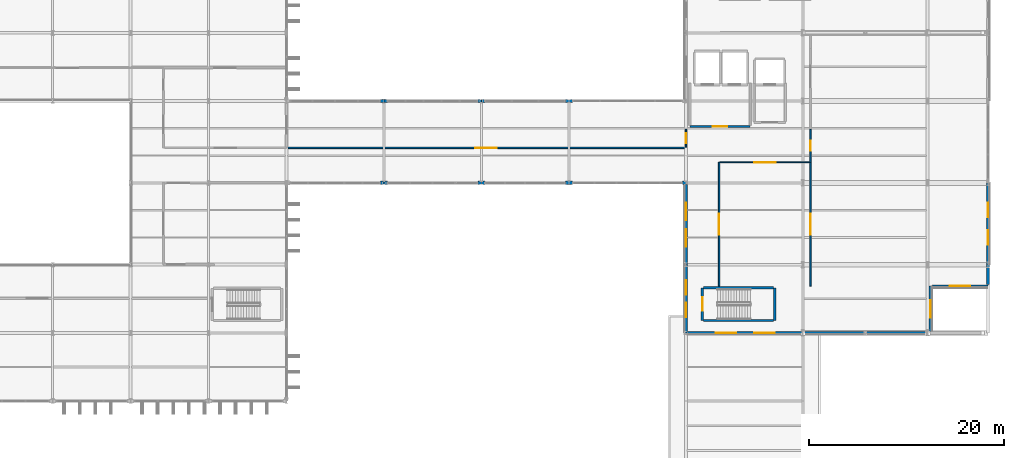
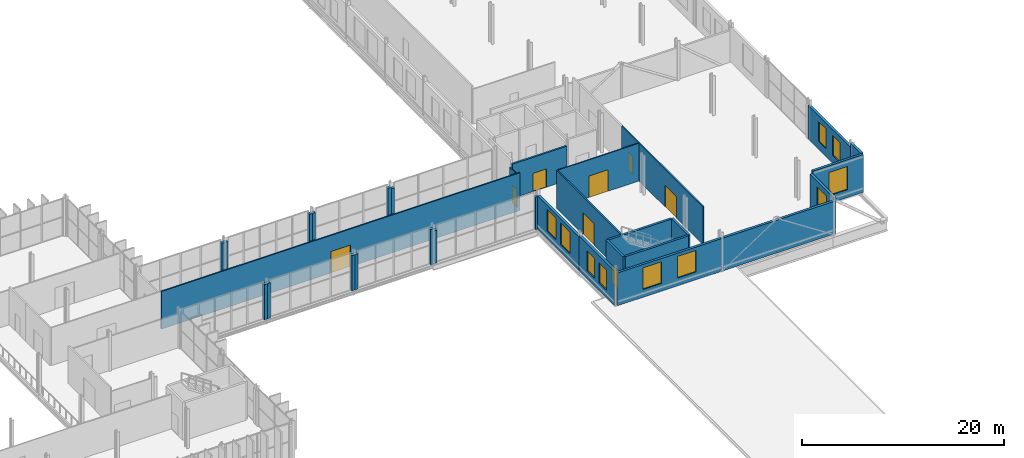
# One storey, part 100 of 120: 32 walls, 10 windows, 8 doors, 18 openings.
"""IFC4 building model written with IfcOpenShell, lengths in metres."""

import ifcopenshell
import ifcopenshell.guid

model = None  # the IFC model being written
_history = None  # IfcOwnerHistory: only IFC2X3 demands one
_inside = {}  # id of a spatial element -> (the spatial element, [elements in it])
_under = {}  # id of a project, library or spatial element -> (it, [spatial elements below it])
_declared = {}  # id of a project -> (the project, [libraries it declares])
_typed = {}  # id of a type object -> (the type object, [elements of that type])
_made_of = {}  # id of a material, layer set ... -> (it, [elements and type objects made of it])


def new_model(schema):
    """Start an empty IFC model of exactly this schema.

    Asked for "IFC4X3", IfcOpenShell would pick the latest addendum, in which some entities
    have other attributes; the version numbers below select the first issue.
    IFC2X3 requires an IfcOwnerHistory on every rooted entity: one is made here for all.
    """
    global model, _history
    if schema == "IFC4X3":
        model = ifcopenshell.file(schema_version=(4, 3, 0, 0))
    else:
        model = ifcopenshell.file(schema=schema)
    _inside.clear()
    _under.clear()
    _declared.clear()
    _typed.clear()
    _made_of.clear()
    _history = None
    if model.schema == "IFC2X3":
        org = make("IfcOrganization", Name="unknown")
        user = make(
            "IfcPersonAndOrganization",
            ThePerson=make("IfcPerson", FamilyName="unknown"),
            TheOrganization=org,
        )
        app = make(
            "IfcApplication",
            ApplicationDeveloper=org,
            Version="unknown",
            ApplicationFullName="unknown",
            ApplicationIdentifier="unknown",
        )
        _history = make(
            "IfcOwnerHistory",
            OwningUser=user,
            OwningApplication=app,
            ChangeAction="ADDED",
            CreationDate=0,
        )
    return model


def make(cls, **values):
    """One entity of the class cls with the attributes given. An attribute that is None is left unset."""
    return model.create_entity(
        cls, **{name: value for name, value in values.items() if value is not None}
    )


def rooted(cls, **values):
    """An entity with a GlobalId (a new one), such as an element, a storey or a relation."""
    return make(cls, GlobalId=ifcopenshell.guid.new(), OwnerHistory=_history, **values)


def si_unit(unit_type, name, prefix=None):
    """IfcSIUnit, for example si_unit("LENGTHUNIT", "METRE", prefix="MILLI")."""
    return make("IfcSIUnit", UnitType=unit_type, Prefix=prefix, Name=name)


def assignment(units):
    """IfcUnitAssignment: the units of a project."""
    return None if units is None else make("IfcUnitAssignment", Units=units)


def point(xyz):
    """IfcCartesianPoint."""
    return None if xyz is None else make("IfcCartesianPoint", Coordinates=xyz)


def direction(xyz):
    """IfcDirection."""
    return None if xyz is None else make("IfcDirection", DirectionRatios=xyz)


def frame(location, z_axis=None, x_axis=None):
    """IfcAxis2Placement3D, a coordinate frame: its origin and axes. An axis left out is left unset."""
    return make(
        "IfcAxis2Placement3D",
        Location=point(location),
        Axis=direction(z_axis),
        RefDirection=direction(x_axis),
    )


def frame_2d(location, x_axis=None):
    """IfcAxis2Placement2D, a coordinate frame in the plane: its origin and x axis."""
    return make(
        "IfcAxis2Placement2D", Location=point(location), RefDirection=direction(x_axis)
    )


def origin():
    """The frame at (0, 0, 0) with its axes left unset."""
    return frame((0.0, 0.0, 0.0))


def place(relative_to, where):
    """IfcLocalPlacement: puts the frame where relative to a parent placement (None: the world)."""
    return make(
        "IfcLocalPlacement", PlacementRelTo=relative_to, RelativePlacement=where
    )


def context(
    kind, dimensions, precision=None, world=None, true_north=None, identifier=None
):
    """IfcGeometricRepresentationContext, for example the 3D "Model" context."""
    return make(
        "IfcGeometricRepresentationContext",
        ContextIdentifier=identifier,
        ContextType=kind,
        CoordinateSpaceDimension=dimensions,
        Precision=precision,
        WorldCoordinateSystem=world,
        TrueNorth=true_north,
    )


def subcontext(parent, identifier, kind, view, scale=None):
    """IfcGeometricRepresentationSubContext, for example "Body" below "Model"."""
    return make(
        "IfcGeometricRepresentationSubContext",
        ContextIdentifier=identifier,
        ContextType=kind,
        ParentContext=parent,
        TargetScale=scale,
        TargetView=view,
    )


def project(units=None, contexts=None):
    """IfcProject with its units and contexts."""
    return rooted(
        "IfcProject",
        Name="project",
        RepresentationContexts=contexts,
        UnitsInContext=assignment(units),
    )


def spatial(cls, under=None, at=None, **own):
    """A site, building, storey or space (cls), placed at a placement, below another one or the project."""
    s = rooted(cls, ObjectPlacement=at, **own)
    if under is not None:
        _under.setdefault(under.id(), (under, []))[1].append(s)
    return s


def profile(cls, at=None, kind="AREA", **sizes):
    """A parametric profile (cls). Its sizes go by their IFC names, for example OverallWidth=200.0."""
    return make(cls, ProfileType=kind, Position=at, **sizes)


def rectangle(**sizes):
    """IfcRectangleProfileDef."""
    return profile("IfcRectangleProfileDef", **sizes)


def extrude(swept, where, along, depth):
    """IfcExtrudedAreaSolid: the profile swept, set in the frame where, extruded along a direction by depth."""
    return make(
        "IfcExtrudedAreaSolid",
        SweptArea=swept,
        Position=where,
        ExtrudedDirection=direction(along),
        Depth=depth,
    )


def shape(context_of_items, identifier, shape_type, items):
    """IfcShapeRepresentation: the items that make up one representation, for example the "Body"."""
    return make(
        "IfcShapeRepresentation",
        ContextOfItems=context_of_items,
        RepresentationIdentifier=identifier,
        RepresentationType=shape_type,
        Items=items,
    )


def material(Name=None, Category=None):
    """IfcMaterial."""
    return make("IfcMaterial", Name=Name, Category=Category)


def layer(
    of_material, thickness, ventilated=None, Name=None, Category=None, Priority=None
):
    """IfcMaterialLayer: one layer of a wall or slab, of a material (None: an air gap)."""
    return make(
        "IfcMaterialLayer",
        Material=of_material,
        LayerThickness=thickness,
        IsVentilated=ventilated,
        Name=Name,
        Category=Category,
        Priority=Priority,
    )


def layer_set(layers, Name=None):
    """IfcMaterialLayerSet."""
    return make("IfcMaterialLayerSet", MaterialLayers=layers, LayerSetName=Name)


def made_of(thing, what):
    """Note that an element or type object is made of a material, layer set ...; save() writes the relation."""
    if what is not None:
        _made_of.setdefault(what.id(), (what, []))[1].append(thing)
    return thing


def type_object(cls, material=None, **own):
    """A type object (cls), such as IfcWallType, which elements share."""
    return made_of(rooted(cls, **own), material)


def element(
    cls,
    number,
    at=None,
    inside=None,
    cuts=None,
    type_object=None,
    material=None,
    context=None,
    identifier="Body",
    shape_type=None,
    held_by="IfcProductDefinitionShape",
    body=None,
    shapes=None,
    **own,
):
    """One element of the class cls, such as IfcWall. Its Tag is "e" and its number.

    at: its placement. inside: the storey or other place that contains it. cuts: it is an
    opening in that element (IfcRelVoidsElement). A single representation is given by context,
    identifier, shape_type and body (its items); several are given by shapes. held_by: the class
    of the entity that holds the representations. save() writes the other relations.
    """
    e = rooted(cls, Tag="e%d" % number, ObjectPlacement=at, **own)
    if body is not None:
        shapes = [shape(context, identifier, shape_type, body)]
    if shapes is not None:
        e.Representation = make(held_by, Representations=shapes)
    if inside is not None:
        _inside.setdefault(inside.id(), (inside, []))[1].append(e)
    if cuts is not None:
        rooted(
            "IfcRelVoidsElement", RelatingBuildingElement=cuts, RelatedOpeningElement=e
        )
    if type_object is not None:
        _typed.setdefault(type_object.id(), (type_object, []))[1].append(e)
    return made_of(e, material)


def fill(opening, filler):
    """IfcRelFillsElement: the door or window that sits in an opening."""
    return rooted(
        "IfcRelFillsElement",
        RelatingOpeningElement=opening,
        RelatedBuildingElement=filler,
    )


def aggregate(whole, parts):
    """IfcRelAggregates: a whole, such as a stair, and the parts it consists of."""
    return rooted("IfcRelAggregates", RelatingObject=whole, RelatedObjects=parts)


def save(model, path):
    """Write the relations noted so far, then the file.

    IfcRelAggregates (storeys below a building ...), IfcRelContainedInSpatialStructure (elements
    in a storey), IfcRelDefinesByType, IfcRelAssociatesMaterial and IfcRelDeclares: one each for
    every whole, place, type object, material and project.
    """
    for whole, parts in _under.values():
        aggregate(whole, parts)
    for where, things in _inside.values():
        rooted(
            "IfcRelContainedInSpatialStructure",
            RelatedElements=things,
            RelatingStructure=where,
        )
    for kind, things in _typed.values():
        rooted("IfcRelDefinesByType", RelatedObjects=things, RelatingType=kind)
    for what, things in _made_of.values():
        rooted("IfcRelAssociatesMaterial", RelatedObjects=things, RelatingMaterial=what)
    for by, libraries in _declared.values():
        rooted("IfcRelDeclares", RelatingContext=by, RelatedDefinitions=libraries)
    model.write(path)


model = new_model("IFC4")

# Units and contexts
model_context = context("Model", 3, precision=1e-05, world=origin(), true_north=direction((0.0, 1.0)))
body_context = subcontext(model_context, "Body", "Model", "MODEL_VIEW")
ifc_project = project(units=[si_unit("LENGTHUNIT", "METRE"), si_unit("AREAUNIT", "SQUARE_METRE"), si_unit("VOLUMEUNIT", "CUBIC_METRE"), si_unit("PLANEANGLEUNIT", "RADIAN"), si_unit("MASSUNIT", "GRAM", prefix="KILO")], contexts=[model_context])

# Site, building, storey
site_placement = place(None, origin())
site = spatial("IfcSite", under=ifc_project, at=site_placement, CompositionType="ELEMENT")
building_placement = place(site_placement, origin())
building = spatial("IfcBuilding", under=site, at=building_placement, Name="Vekula Escarpment Museum", CompositionType="ELEMENT")
storey_placement = place(building_placement, frame((0.0, 0.0, 13.199951171875)))
storey = spatial("IfcBuildingStorey", under=building, at=storey_placement, Name="L03", CompositionType="ELEMENT", Elevation=13.199951171875)

# Walls
ifc_material_1 = material(Name="Inkisi arkosic sandstone masonry", Category="masonry")
ifc_layer_1 = layer(ifc_material_1, 0.35009765625)
ifc_layer_set_1 = layer_set([ifc_layer_1], Name="Inkisi arkosic sandstone masonry")
wall_type_1 = type_object("IfcWallType", Name="WL-ALM-350", PredefinedType="SOLIDWALL", material=ifc_layer_set_1)
for number, where, z_axis, x_axis, name in (
    (1, (135.639892578125, 68.0, 0.0), (0.0, 0.0, 1.0), (1.0, 0.0, 0.0), "Facade Jamb Pier L03-0585B"),
    (2, (136.0, 68.0, 0.0), (0.0, 0.0, 1.0), (1.0, 0.0, 0.0), "Facade Jamb Pier L03-0586A"),
    (3, (145.639892578125, 68.0, 0.0), (0.0, 0.0, 1.0), (1.0, 0.0, 0.0), "Facade Jamb Pier L03-0587B"),
    (4, (146.0, 68.0, 0.0), (0.0, 0.0, 1.0), (1.0, 0.0, 0.0), "Facade Jamb Pier L03-0588A"),
    (5, (154.639892578125, 68.0, 0.0), (0.0, 0.0, 1.0), (1.0, 0.0, 0.0), "Facade Jamb Pier L03-0589B"),
):
    element("IfcWall", number, at=place(storey_placement, frame(where, z_axis=z_axis, x_axis=x_axis)), inside=storey, type_object=wall_type_1, Name=name, PredefinedType="SOLIDWALL", context=body_context, shape_type="SweptSolid", body=[
        extrude(rectangle(XDim=0.360107421875, YDim=0.35009765625, at=frame_2d((0.18017578125, 0.0))), origin(), (0.0, 0.0, 1.0), 4.2451171875),
    ])
for number, where, z_axis, x_axis, name in (
    (6, (155.0, 68.0, 0.0), (0.0, 0.0, 1.0), (1.0, 0.0, 0.0), "Facade Jamb Pier L03-0590A"),
    (7, (166.639892578125, 68.0, 0.0), (0.0, 0.0, 1.0), (1.0, 0.0, 0.0), "Facade Jamb Pier L03-0591B"),
    (8, (155.360107421875, 76.39990234375, 0.0), (0.0, 0.0, 1.0), (-1.0, 0.0, 0.0), "Facade Jamb Pier L03-0622B"),
):
    element("IfcWall", number, at=place(storey_placement, frame(where, z_axis=z_axis, x_axis=x_axis)), inside=storey, type_object=wall_type_1, Name=name, PredefinedType="SOLIDWALL", context=body_context, shape_type="SweptSolid", body=[
        extrude(rectangle(XDim=0.360107421875, YDim=0.35009765625, at=frame_2d((0.18017578125, 0.0))), origin(), (0.0, 0.0, 1.0), 3.955078125),
    ])
for number, where, z_axis, x_axis, name in (
    (9, (155.0, 76.39990234375, 0.0), (0.0, 0.0, 1.0), (-1.0, 0.0, 0.0), "Facade Jamb Pier L03-0623A"),
    (10, (146.360107421875, 76.39990234375, 0.0), (0.0, 0.0, 1.0), (-1.0, 0.0, 0.0), "Facade Jamb Pier L03-0624B"),
    (11, (146.0, 76.39990234375, 0.0), (0.0, 0.0, 1.0), (-1.0, 0.0, 0.0), "Facade Jamb Pier L03-0625A"),
    (12, (136.360107421875, 76.39990234375, 0.0), (0.0, 0.0, 1.0), (-1.0, 0.0, 0.0), "Facade Jamb Pier L03-0626B"),
    (13, (136.0, 76.39990234375, 0.0), (0.0, 0.0, 1.0), (-1.0, 0.0, 0.0), "Facade Jamb Pier L03-0627A"),
):
    element("IfcWall", number, at=place(storey_placement, frame(where, z_axis=z_axis, x_axis=x_axis)), inside=storey, type_object=wall_type_1, Name=name, PredefinedType="SOLIDWALL", context=body_context, shape_type="SweptSolid", body=[
        extrude(rectangle(XDim=0.360107421875, YDim=0.35009765625, at=frame_2d((0.18017578125, 0.0))), origin(), (0.0, 0.0, 1.0), 4.155029296875),
    ])

# Wall, opening, door
ifc_material_2 = material(Name="Concrete C35/45", Category="concrete")
ifc_layer_2 = layer(ifc_material_2, 0.25)
ifc_layer_set_2 = layer_set([ifc_layer_2], Name="Concrete C35/45")
wall_type_2 = type_object("IfcWallType", Name="WL-CORE-250", PredefinedType="SHEAR", material=ifc_layer_set_2)
wall_1_placement = place(storey_placement, frame((168.675048828125, 53.875, 0.0), z_axis=(0.0, 0.0, 1.0), x_axis=(0.0, 1.0, 0.0)))
wall_1 = element("IfcWall", 14, at=wall_1_placement, inside=storey, type_object=wall_type_2, Name="Stair Core Wall ST-02 L03 W", PredefinedType="SHEAR", context=body_context, shape_type="SweptSolid", body=[
    extrude(rectangle(XDim=3.35009765625, YDim=0.25, at=frame_2d((1.675048828125, 0.0))), origin(), (0.0, 0.0, 1.0), 4.56005859375),
])
opening_1_placement = place(wall_1_placement, frame((0.97509765625, 0.0, 0.0)))
opening_1 = element("IfcOpeningElement", 15, at=opening_1_placement, cuts=wall_1, Name="Opening DR-FD60", PredefinedType="OPENING", context=body_context, shape_type="SweptSolid", body=[
    extrude(rectangle(XDim=1.39990234375, YDim=2.199951171875, at=frame_2d((0.699951171875, 1.10009765625))), frame((0.0, 0.135009765625, 0.0), z_axis=(0.0, -1.0, 0.0), x_axis=(1.0, 0.0, 0.0)), (0.0, 0.0, 1.0), 0.27001953125),
])
ifc_material_3 = material(Name="Fire-rated steel stair door", Category="steel")
door_type_1 = type_object("IfcDoorType", Name="DR-STAIR-1400x2200", OperationType="NOTDEFINED", PredefinedType="DOOR", material=ifc_material_3)
door_1_placement = place(opening_1_placement, origin())
door_1 = element("IfcDoor", 16, at=door_1_placement, inside=storey, type_object=door_type_1, Name="Protected Exit Stair Door ST-02 L03", OperationType="SINGLE_SWING_LEFT", OverallHeight=2.199951171875, OverallWidth=1.39990234375, PredefinedType="DOOR", context=body_context, shape_type="SweptSolid", body=[
    extrude(rectangle(XDim=1.39990234375, YDim=2.199951171875, at=frame_2d((0.699951171875, 1.10009765625))), frame((0.0, 0.02490234375, 0.0), z_axis=(0.0, -1.0, 0.0), x_axis=(1.0, 0.0, 0.0)), (0.0, 0.0, 1.0), 0.050048828125),
])
fill(opening_1, door_1)

# Walls
wall_2_placement = place(storey_placement, frame((176.125, 53.875, 0.0), z_axis=(0.0, 0.0, 1.0), x_axis=(0.0, 1.0, 0.0)))
element("IfcWall", 17, at=wall_2_placement, inside=storey, type_object=wall_type_2, Name="Stair Core Wall ST-02 L03 E", PredefinedType="SHEAR", context=body_context, shape_type="SweptSolid", body=[
    extrude(rectangle(XDim=3.35009765625, YDim=0.25, at=frame_2d((1.675048828125, 0.0))), origin(), (0.0, 0.0, 1.0), 4.56005859375),
])
for number, where, z_axis, x_axis, name in (
    (18, (168.803955078125, 53.875, 0.0), (0.0, 0.0, 1.0), (1.0, 0.0, 0.0), "Stair Core Wall ST-02 L03 S"),
    (19, (168.803955078125, 57.22509765625, 0.0), (0.0, 0.0, 1.0), (1.0, 0.0, 0.0), "Stair Core Wall ST-02 L03 N"),
):
    element("IfcWall", number, at=place(storey_placement, frame(where, z_axis=z_axis, x_axis=x_axis)), inside=storey, type_object=wall_type_2, Name=name, PredefinedType="SHEAR", context=body_context, shape_type="SweptSolid", body=[
        extrude(rectangle(XDim=7.192138671875, YDim=0.25, at=frame_2d((3.59619140625, 0.0))), origin(), (0.0, 0.0, 1.0), 4.56005859375),
    ])

# Wall, openings, windows
ifc_material_4 = material(Name="Inkisi arkosic sandstone masonry", Category="masonry")
ifc_layer_3 = layer(ifc_material_4, 0.280029296875)
ifc_layer_set_3 = layer_set([ifc_layer_3], Name="Inkisi arkosic sandstone masonry")
wall_type_3 = type_object("IfcWallType", Name="WL-CUM-280", PredefinedType="SOLIDWALL", material=ifc_layer_set_3)
wall_3_placement = place(storey_placement, frame((167.0, 59.60009765625, 0.0), z_axis=(0.0, 0.0, 1.0), x_axis=(0.0, 1.0, 0.0)))
wall_3 = element("IfcWall", 20, at=wall_3_placement, inside=storey, type_object=wall_type_3, Name="Exterior Wall WL-EXT-L03-0592", PredefinedType="SOLIDWALL", context=body_context, shape_type="SweptSolid", body=[
    extrude(rectangle(XDim=8.220947265625, YDim=0.280029296875, at=frame_2d((4.1103515625, 0.0))), origin(), (0.0, 0.0, 1.0), 4.06494140625),
])
opening_2_placement = place(wall_3_placement, frame((1.84033203125, 0.0, 0.949951171875)))
opening_2 = element("IfcOpeningElement", 21, at=opening_2_placement, cuts=wall_3, Name="Opening WN-07", PredefinedType="OPENING", context=body_context, shape_type="SweptSolid", body=[
    extrude(rectangle(XDim=1.800048828125, YDim=2.60009765625, at=frame_2d((0.89990234375, 1.300048828125))), frame((0.0, 0.14990234375, 0.0), z_axis=(0.0, -1.0, 0.0), x_axis=(1.0, 0.0, 0.0)), (0.0, 0.0, 1.0), 0.300048828125),
])
opening_3_placement = place(wall_3_placement, frame((4.580810546875, 0.0, 0.949951171875)))
opening_3 = element("IfcOpeningElement", 22, at=opening_3_placement, cuts=wall_3, Name="Opening WN-07", PredefinedType="OPENING", context=body_context, shape_type="SweptSolid", body=[
    extrude(rectangle(XDim=1.800048828125, YDim=2.60009765625, at=frame_2d((0.89990234375, 1.300048828125))), frame((0.0, 0.14990234375, 0.0), z_axis=(0.0, -1.0, 0.0), x_axis=(1.0, 0.0, 0.0)), (0.0, 0.0, 1.0), 0.300048828125),
])
ifc_material_5 = material(Name="Double solar-control low-E glass", Category="glass")
window_type_1 = type_object("IfcWindowType", Name="WN-CUMBA-18x26", PartitioningType="DOUBLE_PANEL_VERTICAL", PredefinedType="WINDOW", material=ifc_material_5)
window_1_placement = place(opening_2_placement, origin())
window_1 = element("IfcWindow", 23, at=window_1_placement, inside=storey, type_object=window_type_1, Name="Window L03-0269", OverallHeight=2.60009765625, OverallWidth=1.800048828125, PartitioningType="SINGLE_PANEL", PredefinedType="WINDOW", context=body_context, shape_type="SweptSolid", body=[
    extrude(rectangle(XDim=1.800048828125, YDim=2.60009765625, at=frame_2d((0.89990234375, 1.300048828125))), frame((0.0, 0.030029296875, 0.0), z_axis=(0.0, -1.0, 0.0), x_axis=(1.0, 0.0, 0.0)), (0.0, 0.0, 1.0), 0.06005859375),
])
fill(opening_2, window_1)
window_2_placement = place(opening_3_placement, origin())
window_2 = element("IfcWindow", 24, at=window_2_placement, inside=storey, type_object=window_type_1, Name="Window L03-0270", OverallHeight=2.60009765625, OverallWidth=1.800048828125, PartitioningType="SINGLE_PANEL", PredefinedType="WINDOW", context=body_context, shape_type="SweptSolid", body=[
    extrude(rectangle(XDim=1.800048828125, YDim=2.60009765625, at=frame_2d((0.89990234375, 1.300048828125))), frame((0.0, 0.030029296875, 0.0), z_axis=(0.0, -1.0, 0.0), x_axis=(1.0, 0.0, 0.0)), (0.0, 0.0, 1.0), 0.06005859375),
])
fill(opening_3, window_2)

wall_4_placement = place(storey_placement, frame((167.0, 52.60009765625, 0.0), z_axis=(0.0, 0.0, 1.0), x_axis=(0.0, 1.0, 0.0)))
wall_4 = element("IfcWall", 25, at=wall_4_placement, inside=storey, type_object=wall_type_3, Name="Exterior Wall WL-EXT-L03-0593", PredefinedType="SOLIDWALL", context=body_context, shape_type="SweptSolid", body=[
    extrude(rectangle(XDim=7.0, YDim=0.280029296875, at=frame_2d((3.5, 0.0))), origin(), (0.0, 0.0, 1.0), 4.215087890625),
])
opening_4_placement = place(wall_4_placement, frame((1.583251953125, 0.0, 0.949951171875)))
opening_4 = element("IfcOpeningElement", 26, at=opening_4_placement, cuts=wall_4, Name="Opening WN-06", PredefinedType="OPENING", context=body_context, shape_type="SweptSolid", body=[
    extrude(rectangle(XDim=1.5, YDim=2.39990234375, at=frame_2d((0.75, 1.199951171875))), frame((0.0, 0.14990234375, 0.0), z_axis=(0.0, -1.0, 0.0), x_axis=(1.0, 0.0, 0.0)), (0.0, 0.0, 1.0), 0.300048828125),
])
opening_5_placement = place(wall_4_placement, frame((3.916748046875, 0.0, 0.949951171875)))
opening_5 = element("IfcOpeningElement", 27, at=opening_5_placement, cuts=wall_4, Name="Opening WN-06", PredefinedType="OPENING", context=body_context, shape_type="SweptSolid", body=[
    extrude(rectangle(XDim=1.5, YDim=2.39990234375, at=frame_2d((0.75, 1.199951171875))), frame((0.0, 0.14990234375, 0.0), z_axis=(0.0, -1.0, 0.0), x_axis=(1.0, 0.0, 0.0)), (0.0, 0.0, 1.0), 0.300048828125),
])
ifc_material_6 = material(Name="Double solar-control low-E glass", Category="glass")
window_type_2 = type_object("IfcWindowType", Name="WN-CUMBA-15x24", PartitioningType="SINGLE_PANEL", PredefinedType="WINDOW", material=ifc_material_6)
window_3_placement = place(opening_4_placement, origin())
window_3 = element("IfcWindow", 28, at=window_3_placement, inside=storey, type_object=window_type_2, Name="Window L03-0271", OverallHeight=2.39990234375, OverallWidth=1.5, PartitioningType="SINGLE_PANEL", PredefinedType="WINDOW", context=body_context, shape_type="SweptSolid", body=[
    extrude(rectangle(XDim=1.5, YDim=2.39990234375, at=frame_2d((0.75, 1.199951171875))), frame((0.0, 0.030029296875, 0.0), z_axis=(0.0, -1.0, 0.0), x_axis=(1.0, 0.0, 0.0)), (0.0, 0.0, 1.0), 0.06005859375),
])
fill(opening_4, window_3)
window_4_placement = place(opening_5_placement, origin())
window_4 = element("IfcWindow", 29, at=window_4_placement, inside=storey, type_object=window_type_2, Name="Window L03-0272", OverallHeight=2.39990234375, OverallWidth=1.5, PartitioningType="SINGLE_PANEL", PredefinedType="WINDOW", context=body_context, shape_type="SweptSolid", body=[
    extrude(rectangle(XDim=1.5, YDim=2.39990234375, at=frame_2d((0.75, 1.199951171875))), frame((0.0, 0.030029296875, 0.0), z_axis=(0.0, -1.0, 0.0), x_axis=(1.0, 0.0, 0.0)), (0.0, 0.0, 1.0), 0.06005859375),
])
fill(opening_5, window_4)

wall_5_placement = place(storey_placement, frame((179.0, 52.60009765625, 0.0), z_axis=(0.0, 0.0, 1.0), x_axis=(-1.0, 0.0, 0.0)))
wall_5 = element("IfcWall", 30, at=wall_5_placement, inside=storey, type_object=wall_type_3, Name="Exterior Wall WL-EXT-L03-0594", PredefinedType="SOLIDWALL", context=body_context, shape_type="SweptSolid", body=[
    extrude(rectangle(XDim=11.85595703125, YDim=0.280029296875, at=frame_2d((5.927978515625, 0.0))), origin(), (0.0, 0.0, 1.0), 3.955078125),
])
opening_6_placement = place(wall_5_placement, frame((2.902099609375, 0.0, 0.949951171875)))
opening_6 = element("IfcOpeningElement", 31, at=opening_6_placement, cuts=wall_5, Name="Opening WN-08", PredefinedType="OPENING", context=body_context, shape_type="SweptSolid", body=[
    extrude(rectangle(XDim=2.10009765625, YDim=2.610107421875, at=frame_2d((1.050048828125, 1.30517578125))), frame((0.0, 0.14990234375, 0.0), z_axis=(0.0, -1.0, 0.0), x_axis=(1.0, 0.0, 0.0)), (0.0, 0.0, 1.0), 0.300048828125),
])
opening_7_placement = place(wall_5_placement, frame((6.85400390625, 0.0, 0.949951171875)))
opening_7 = element("IfcOpeningElement", 32, at=opening_7_placement, cuts=wall_5, Name="Opening WN-08", PredefinedType="OPENING", context=body_context, shape_type="SweptSolid", body=[
    extrude(rectangle(XDim=2.10009765625, YDim=2.610107421875, at=frame_2d((1.050048828125, 1.30517578125))), frame((0.0, 0.14990234375, 0.0), z_axis=(0.0, -1.0, 0.0), x_axis=(1.0, 0.0, 0.0)), (0.0, 0.0, 1.0), 0.300048828125),
])
ifc_material_7 = material(Name="Double solar-control low-E glass", Category="glass")
window_type_3 = type_object("IfcWindowType", Name="WN-CUMBA-21x28", PartitioningType="DOUBLE_PANEL_VERTICAL", PredefinedType="WINDOW", material=ifc_material_7)
window_5_placement = place(opening_6_placement, origin())
window_5 = element("IfcWindow", 33, at=window_5_placement, inside=storey, type_object=window_type_3, Name="Window L03-0273", OverallHeight=2.610107421875, OverallWidth=2.10009765625, PartitioningType="SINGLE_PANEL", PredefinedType="WINDOW", context=body_context, shape_type="SweptSolid", body=[
    extrude(rectangle(XDim=2.10009765625, YDim=2.610107421875, at=frame_2d((1.050048828125, 1.30517578125))), frame((0.0, 0.030029296875, 0.0), z_axis=(0.0, -1.0, 0.0), x_axis=(1.0, 0.0, 0.0)), (0.0, 0.0, 1.0), 0.06005859375),
])
fill(opening_6, window_5)
window_6_placement = place(opening_7_placement, origin())
window_6 = element("IfcWindow", 34, at=window_6_placement, inside=storey, type_object=window_type_3, Name="Window L03-0274", OverallHeight=2.610107421875, OverallWidth=2.10009765625, PartitioningType="SINGLE_PANEL", PredefinedType="WINDOW", context=body_context, shape_type="SweptSolid", body=[
    extrude(rectangle(XDim=2.10009765625, YDim=2.610107421875, at=frame_2d((1.050048828125, 1.30517578125))), frame((0.0, 0.030029296875, 0.0), z_axis=(0.0, -1.0, 0.0), x_axis=(1.0, 0.0, 0.0)), (0.0, 0.0, 1.0), 0.06005859375),
])
fill(opening_7, window_6)

# Wall
wall_6_placement = place(storey_placement, frame((192.110107421875, 52.60009765625, 0.0), z_axis=(0.0, 0.0, 1.0), x_axis=(-1.0, 0.0, 0.0)))
element("IfcWall", 35, at=wall_6_placement, inside=storey, type_object=wall_type_3, Name="Exterior Wall WL-EXT-L03-0595", PredefinedType="SOLIDWALL", context=body_context, shape_type="SweptSolid", body=[
    extrude(rectangle(XDim=13.110107421875, YDim=0.280029296875, at=frame_2d((6.55517578125, 0.0))), origin(), (0.0, 0.0, 1.0), 3.955078125),
])

# Wall, opening, window
wall_7_placement = place(storey_placement, frame((192.110107421875, 57.39990234375, 0.0), z_axis=(0.0, 0.0, 1.0), x_axis=(0.0, -1.0, 0.0)))
wall_7 = element("IfcWall", 36, at=wall_7_placement, inside=storey, type_object=wall_type_3, Name="Exterior Wall WL-EXT-L03-0596", PredefinedType="SOLIDWALL", context=body_context, shape_type="SweptSolid", body=[
    extrude(rectangle(XDim=4.656005859375, YDim=0.280029296875, at=frame_2d((2.328125, 0.0))), origin(), (0.0, 0.0, 1.0), 4.215087890625),
])
opening_8_placement = place(wall_7_placement, frame((1.427978515625, 0.0, 0.949951171875)))
opening_8 = element("IfcOpeningElement", 37, at=opening_8_placement, cuts=wall_7, Name="Opening WN-07", PredefinedType="OPENING", context=body_context, shape_type="SweptSolid", body=[
    extrude(rectangle(XDim=1.800048828125, YDim=2.60009765625, at=frame_2d((0.89990234375, 1.300048828125))), frame((0.0, 0.14990234375, 0.0), z_axis=(0.0, -1.0, 0.0), x_axis=(1.0, 0.0, 0.0)), (0.0, 0.0, 1.0), 0.300048828125),
])
window_7_placement = place(opening_8_placement, origin())
window_7 = element("IfcWindow", 38, at=window_7_placement, inside=storey, type_object=window_type_1, Name="Window L03-0275", OverallHeight=2.60009765625, OverallWidth=1.800048828125, PartitioningType="SINGLE_PANEL", PredefinedType="WINDOW", context=body_context, shape_type="SweptSolid", body=[
    extrude(rectangle(XDim=1.800048828125, YDim=2.60009765625, at=frame_2d((0.89990234375, 1.300048828125))), frame((0.0, 0.030029296875, 0.0), z_axis=(0.0, -1.0, 0.0), x_axis=(1.0, 0.0, 0.0)), (0.0, 0.0, 1.0), 0.06005859375),
])
fill(opening_8, window_7)

wall_8_placement = place(storey_placement, frame((198.0, 57.39990234375, 0.0), z_axis=(0.0, 0.0, 1.0), x_axis=(-1.0, 0.0, 0.0)))
wall_8 = element("IfcWall", 39, at=wall_8_placement, inside=storey, type_object=wall_type_3, Name="Exterior Wall WL-EXT-L03-0597", PredefinedType="SOLIDWALL", context=body_context, shape_type="SweptSolid", body=[
    extrude(rectangle(XDim=5.74609375, YDim=0.280029296875, at=frame_2d((2.873046875, 0.0))), origin(), (0.0, 0.0, 1.0), 4.56005859375),
])
opening_9_placement = place(wall_8_placement, frame((1.822998046875, 0.0, 0.949951171875)))
opening_9 = element("IfcOpeningElement", 40, at=opening_9_placement, cuts=wall_8, Name="Opening WN-08", PredefinedType="OPENING", context=body_context, shape_type="SweptSolid", body=[
    extrude(rectangle(XDim=2.10009765625, YDim=2.800048828125, at=frame_2d((1.050048828125, 1.39990234375))), frame((0.0, 0.14990234375, 0.0), z_axis=(0.0, -1.0, 0.0), x_axis=(1.0, 0.0, 0.0)), (0.0, 0.0, 1.0), 0.300048828125),
])
window_8_placement = place(opening_9_placement, origin())
window_8 = element("IfcWindow", 41, at=window_8_placement, inside=storey, type_object=window_type_3, Name="Window L03-0276", OverallHeight=2.800048828125, OverallWidth=2.10009765625, PartitioningType="SINGLE_PANEL", PredefinedType="WINDOW", context=body_context, shape_type="SweptSolid", body=[
    extrude(rectangle(XDim=2.10009765625, YDim=2.800048828125, at=frame_2d((1.050048828125, 1.39990234375))), frame((0.0, 0.030029296875, 0.0), z_axis=(0.0, -1.0, 0.0), x_axis=(1.0, 0.0, 0.0)), (0.0, 0.0, 1.0), 0.06005859375),
])
fill(opening_9, window_8)

# Wall
wall_9_placement = place(storey_placement, frame((198.0, 59.60009765625, 0.0), z_axis=(0.0, 0.0, 1.0), x_axis=(0.0, -1.0, 0.0)))
element("IfcWall", 42, at=wall_9_placement, inside=storey, type_object=wall_type_3, Name="Exterior Wall WL-EXT-L03-0598", PredefinedType="SOLIDWALL", context=body_context, shape_type="SweptSolid", body=[
    extrude(rectangle(XDim=2.05615234375, YDim=0.280029296875, at=frame_2d((1.028076171875, 0.0))), origin(), (0.0, 0.0, 1.0), 4.56005859375),
])

# Wall, openings, windows
wall_10_placement = place(storey_placement, frame((198.0, 68.0, 0.0), z_axis=(0.0, 0.0, 1.0), x_axis=(0.0, -1.0, 0.0)))
wall_10 = element("IfcWall", 43, at=wall_10_placement, inside=storey, type_object=wall_type_3, Name="Exterior Wall WL-EXT-L03-0599", PredefinedType="SOLIDWALL", context=body_context, shape_type="SweptSolid", body=[
    extrude(rectangle(XDim=8.39990234375, YDim=0.280029296875, at=frame_2d((4.199951171875, 0.0))), origin(), (0.0, 0.0, 1.0), 4.06494140625),
])
opening_10_placement = place(wall_10_placement, frame((2.050048828125, 0.0, 0.949951171875)))
opening_10 = element("IfcOpeningElement", 44, at=opening_10_placement, cuts=wall_10, Name="Opening WN-06", PredefinedType="OPENING", context=body_context, shape_type="SweptSolid", body=[
    extrude(rectangle(XDim=1.5, YDim=2.39990234375, at=frame_2d((0.75, 1.199951171875))), frame((0.0, 0.14990234375, 0.0), z_axis=(0.0, -1.0, 0.0), x_axis=(1.0, 0.0, 0.0)), (0.0, 0.0, 1.0), 0.300048828125),
])
opening_11_placement = place(wall_10_placement, frame((4.85009765625, 0.0, 0.949951171875)))
opening_11 = element("IfcOpeningElement", 45, at=opening_11_placement, cuts=wall_10, Name="Opening WN-06", PredefinedType="OPENING", context=body_context, shape_type="SweptSolid", body=[
    extrude(rectangle(XDim=1.5, YDim=2.39990234375, at=frame_2d((0.75, 1.199951171875))), frame((0.0, 0.14990234375, 0.0), z_axis=(0.0, -1.0, 0.0), x_axis=(1.0, 0.0, 0.0)), (0.0, 0.0, 1.0), 0.300048828125),
])
window_9_placement = place(opening_10_placement, origin())
window_9 = element("IfcWindow", 46, at=window_9_placement, inside=storey, type_object=window_type_2, Name="Window L03-0277", OverallHeight=2.39990234375, OverallWidth=1.5, PartitioningType="SINGLE_PANEL", PredefinedType="WINDOW", context=body_context, shape_type="SweptSolid", body=[
    extrude(rectangle(XDim=1.5, YDim=2.39990234375, at=frame_2d((0.75, 1.199951171875))), frame((0.0, 0.030029296875, 0.0), z_axis=(0.0, -1.0, 0.0), x_axis=(1.0, 0.0, 0.0)), (0.0, 0.0, 1.0), 0.06005859375),
])
fill(opening_10, window_9)
window_10_placement = place(opening_11_placement, origin())
window_10 = element("IfcWindow", 47, at=window_10_placement, inside=storey, type_object=window_type_2, Name="Window L03-0278", OverallHeight=2.39990234375, OverallWidth=1.5, PartitioningType="SINGLE_PANEL", PredefinedType="WINDOW", context=body_context, shape_type="SweptSolid", body=[
    extrude(rectangle(XDim=1.5, YDim=2.39990234375, at=frame_2d((0.75, 1.199951171875))), frame((0.0, 0.030029296875, 0.0), z_axis=(0.0, -1.0, 0.0), x_axis=(1.0, 0.0, 0.0)), (0.0, 0.0, 1.0), 0.06005859375),
])
fill(opening_11, window_10)

# Wall, opening, door
ifc_material_8 = material(Name="Concrete C35/45", Category="concrete")
ifc_layer_4 = layer(ifc_material_8, 0.199951171875)
ifc_layer_set_4 = layer_set([ifc_layer_4], Name="Concrete C35/45")
wall_type_4 = type_object("IfcWallType", Name="WL-FFL-200", PredefinedType="PARTITIONING", material=ifc_layer_set_4)
wall_11_placement = place(storey_placement, frame((167.39990234375, 73.800048828125, 0.0), z_axis=(0.0, 0.0, 1.0), x_axis=(1.0, 0.0, 0.0)))
wall_11 = element("IfcWall", 48, at=wall_11_placement, inside=storey, type_object=wall_type_4, Name="Lift Lobby Wall LF-01 L03 S", PredefinedType="PARTITIONING", context=body_context, shape_type="SweptSolid", body=[
    extrude(rectangle(XDim=6.2001953125, YDim=0.199951171875, at=frame_2d((3.10009765625, 0.0))), origin(), (0.0, 0.0, 1.0), 4.14501953125),
])
opening_12_placement = place(wall_11_placement, frame((2.35009765625, 0.0, 0.0)))
opening_12 = element("IfcOpeningElement", 49, at=opening_12_placement, cuts=wall_11, Name="Opening DR-FD60L", PredefinedType="OPENING", context=body_context, shape_type="SweptSolid", body=[
    extrude(rectangle(XDim=1.5, YDim=2.199951171875, at=frame_2d((0.75, 1.10009765625))), frame((0.0, 0.10986328125, 0.0), z_axis=(0.0, -1.0, 0.0), x_axis=(1.0, 0.0, 0.0)), (0.0, 0.0, 1.0), 0.219970703125),
])
ifc_material_9 = material(Name="Fire-rated glazed lobby door", Category="steel")
door_type_2 = type_object("IfcDoorType", Name="DR-FFLOB-1500x2200", OperationType="NOTDEFINED", PredefinedType="DOOR", material=ifc_material_9)
door_2_placement = place(opening_12_placement, origin())
door_2 = element("IfcDoor", 50, at=door_2_placement, inside=storey, type_object=door_type_2, Name="Lift Lobby Fire Door LF-01 L03", OperationType="SINGLE_SWING_RIGHT", OverallHeight=2.199951171875, OverallWidth=1.5, PredefinedType="DOOR", context=body_context, shape_type="SweptSolid", body=[
    extrude(rectangle(XDim=1.5, YDim=2.199951171875, at=frame_2d((0.75, 1.10009765625))), frame((0.0, 0.02490234375, 0.0), z_axis=(0.0, -1.0, 0.0), x_axis=(1.0, 0.0, 0.0)), (0.0, 0.0, 1.0), 0.050048828125),
])
fill(opening_12, door_2)

ifc_material_10 = material(Name="Lightweight studio partition", Category="gypsum")
ifc_layer_5 = layer(ifc_material_10, 0.1201171875)
ifc_layer_set_5 = layer_set([ifc_layer_5], Name="Lightweight studio partition")
wall_type_5 = type_object("IfcWallType", Name="WL-PART-120", PredefinedType="PARTITIONING", material=ifc_layer_set_5)
wall_12_placement = place(storey_placement, frame((167.0, 71.678955078125, 0.0), z_axis=(0.0, 0.0, 1.0), x_axis=(0.0, 1.0, 0.0)))
wall_12 = element("IfcWall", 51, at=wall_12_placement, inside=storey, type_object=wall_type_5, Name="Interior Partition WL-INT-L03-0045", PredefinedType="PARTITIONING", context=body_context, shape_type="SweptSolid", body=[
    extrude(rectangle(XDim=1.821044921875, YDim=0.1201171875, at=frame_2d((0.91064453125, 0.0))), origin(), (0.0, 0.0, 1.0), 4.06494140625),
])
opening_13_placement = place(wall_12_placement, frame((0.410400390625, 0.0, 0.0)))
opening_13 = element("IfcOpeningElement", 52, at=opening_13_placement, cuts=wall_12, Name="Opening DR-OF10", PredefinedType="OPENING", context=body_context, shape_type="SweptSolid", body=[
    extrude(rectangle(XDim=1.0, YDim=2.14990234375, at=frame_2d((0.5, 1.074951171875))), frame((0.0, 0.070068359375, 0.0), z_axis=(0.0, -1.0, 0.0), x_axis=(1.0, 0.0, 0.0)), (0.0, 0.0, 1.0), 0.14013671875),
])
ifc_material_11 = material(Name="Solid core timber study door", Category="wood")
door_type_3 = type_object("IfcDoorType", Name="DR-OFF-1000x2150", OperationType="NOTDEFINED", PredefinedType="DOOR", material=ifc_material_11)
door_3_placement = place(opening_13_placement, origin())
door_3 = element("IfcDoor", 53, at=door_3_placement, inside=storey, type_object=door_type_3, Name="Interior Door L03-042", OperationType="SINGLE_SWING_LEFT", OverallHeight=2.14990234375, OverallWidth=1.0, PredefinedType="DOOR", context=body_context, shape_type="SweptSolid", body=[
    extrude(rectangle(XDim=1.0, YDim=2.14990234375, at=frame_2d((0.5, 1.074951171875))), frame((0.0, 0.02490234375, 0.0), z_axis=(0.0, -1.0, 0.0), x_axis=(1.0, 0.0, 0.0)), (0.0, 0.0, 1.0), 0.050048828125),
])
fill(opening_13, door_3)

wall_13_placement = place(storey_placement, frame((170.48388671875, 70.10009765625, 0.0), z_axis=(0.0, 0.0, 1.0), x_axis=(1.0, 0.0, 0.0)))
wall_13 = element("IfcWall", 54, at=wall_13_placement, inside=storey, type_object=wall_type_5, Name="Interior Partition WL-INT-L03-0048", PredefinedType="PARTITIONING", context=body_context, shape_type="SweptSolid", body=[
    extrude(rectangle(XDim=9.237060546875, YDim=0.1201171875, at=frame_2d((4.61865234375, 0.0))), origin(), (0.0, 0.0, 1.0), 4.56005859375),
])
opening_14_placement = place(wall_13_placement, frame((3.5185546875, 0.0, 0.0)))
opening_14 = element("IfcOpeningElement", 55, at=opening_14_placement, cuts=wall_13, Name="Opening DR-GL22", PredefinedType="OPENING", context=body_context, shape_type="SweptSolid", body=[
    extrude(rectangle(XDim=2.199951171875, YDim=2.60009765625, at=frame_2d((1.10009765625, 1.300048828125))), frame((0.0, 0.070068359375, 0.0), z_axis=(0.0, -1.0, 0.0), x_axis=(1.0, 0.0, 0.0)), (0.0, 0.0, 1.0), 0.14013671875),
])
ifc_material_12 = material(Name="Double acoustic timber gallery door", Category="wood")
door_type_4 = type_object("IfcDoorType", Name="DR-GAL-2200x2600", OperationType="NOTDEFINED", PredefinedType="DOOR", material=ifc_material_12)
door_4_placement = place(opening_14_placement, origin())
door_4 = element("IfcDoor", 56, at=door_4_placement, inside=storey, type_object=door_type_4, Name="Interior Door L03-045", OperationType="SINGLE_SWING_RIGHT", OverallHeight=2.60009765625, OverallWidth=2.199951171875, PredefinedType="DOOR", context=body_context, shape_type="SweptSolid", body=[
    extrude(rectangle(XDim=2.199951171875, YDim=2.60009765625, at=frame_2d((1.10009765625, 1.300048828125))), frame((0.0, 0.02490234375, 0.0), z_axis=(0.0, -1.0, 0.0), x_axis=(1.0, 0.0, 0.0)), (0.0, 0.0, 1.0), 0.050048828125),
])
fill(opening_14, door_4)

ifc_material_13 = material(Name="Gypsum board dry-lined partition", Category="gypsum")
ifc_layer_6 = layer(ifc_material_13, 0.14990234375)
ifc_layer_set_6 = layer_set([ifc_layer_6], Name="Gypsum board dry-lined partition")
wall_type_6 = type_object("IfcWallType", Name="WL-PART-150", PredefinedType="PARTITIONING", material=ifc_layer_set_6)
wall_14_placement = place(storey_placement, frame((126.0, 71.60009765625, 0.0), z_axis=(0.0, 0.0, 1.0), x_axis=(1.0, 0.0, 0.0)))
wall_14 = element("IfcWall", 57, at=wall_14_placement, inside=storey, type_object=wall_type_6, Name="Interior Partition WL-INT-L03-0044", PredefinedType="PARTITIONING", context=body_context, shape_type="SweptSolid", body=[
    extrude(rectangle(XDim=41.0, YDim=0.14990234375, at=frame_2d((20.5, 0.0))), origin(), (0.0, 0.0, 1.0), 4.56005859375),
])
opening_15_placement = place(wall_14_placement, frame((19.39990234375, 0.0, 0.0)))
opening_15 = element("IfcOpeningElement", 58, at=opening_15_placement, cuts=wall_14, Name="Opening DR-GL22", PredefinedType="OPENING", context=body_context, shape_type="SweptSolid", body=[
    extrude(rectangle(XDim=2.199951171875, YDim=2.60009765625, at=frame_2d((1.10009765625, 1.300048828125))), frame((0.0, 0.0849609375, 0.0), z_axis=(0.0, -1.0, 0.0), x_axis=(1.0, 0.0, 0.0)), (0.0, 0.0, 1.0), 0.169921875),
])
door_5_placement = place(opening_15_placement, origin())
door_5 = element("IfcDoor", 59, at=door_5_placement, inside=storey, type_object=door_type_4, Name="Interior Door L03-041", OperationType="SINGLE_SWING_RIGHT", OverallHeight=2.60009765625, OverallWidth=2.199951171875, PredefinedType="DOOR", context=body_context, shape_type="SweptSolid", body=[
    extrude(rectangle(XDim=2.199951171875, YDim=2.60009765625, at=frame_2d((1.10009765625, 1.300048828125))), frame((0.0, 0.02490234375, 0.0), z_axis=(0.0, -1.0, 0.0), x_axis=(1.0, 0.0, 0.0)), (0.0, 0.0, 1.0), 0.050048828125),
])
fill(opening_15, door_5)

wall_15_placement = place(storey_placement, frame((179.800048828125, 70.10009765625, 0.0), z_axis=(0.0, 0.0, 1.0), x_axis=(0.0, 1.0, 0.0)))
wall_15 = element("IfcWall", 60, at=wall_15_placement, inside=storey, type_object=wall_type_6, Name="Interior Partition WL-INT-L03-0047", PredefinedType="PARTITIONING", context=body_context, shape_type="SweptSolid", body=[
    extrude(rectangle(XDim=3.39990234375, YDim=0.14990234375, at=frame_2d((1.699951171875, 0.0))), origin(), (0.0, 0.0, 1.0), 4.56005859375),
])
opening_16_placement = place(wall_15_placement, frame((1.199951171875, 0.0, 0.0)))
opening_16 = element("IfcOpeningElement", 61, at=opening_16_placement, cuts=wall_15, Name="Opening DR-OF10", PredefinedType="OPENING", context=body_context, shape_type="SweptSolid", body=[
    extrude(rectangle(XDim=1.0, YDim=2.14990234375, at=frame_2d((0.5, 1.074951171875))), frame((0.0, 0.0849609375, 0.0), z_axis=(0.0, -1.0, 0.0), x_axis=(1.0, 0.0, 0.0)), (0.0, 0.0, 1.0), 0.169921875),
])
door_6_placement = place(opening_16_placement, origin())
door_6 = element("IfcDoor", 62, at=door_6_placement, inside=storey, type_object=door_type_3, Name="Interior Door L03-044", OperationType="SINGLE_SWING_LEFT", OverallHeight=2.14990234375, OverallWidth=1.0, PredefinedType="DOOR", context=body_context, shape_type="SweptSolid", body=[
    extrude(rectangle(XDim=1.0, YDim=2.14990234375, at=frame_2d((0.5, 1.074951171875))), frame((0.0, 0.02490234375, 0.0), z_axis=(0.0, -1.0, 0.0), x_axis=(1.0, 0.0, 0.0)), (0.0, 0.0, 1.0), 0.050048828125),
])
fill(opening_16, door_6)

wall_16_placement = place(storey_placement, frame((179.800048828125, 57.39990234375, 0.0), z_axis=(0.0, 0.0, 1.0), x_axis=(0.0, 1.0, 0.0)))
wall_16 = element("IfcWall", 63, at=wall_16_placement, inside=storey, type_object=wall_type_6, Name="Interior Partition WL-INT-L03-0053", PredefinedType="PARTITIONING", context=body_context, shape_type="SweptSolid", body=[
    extrude(rectangle(XDim=12.7001953125, YDim=0.14990234375, at=frame_2d((6.35009765625, 0.0))), origin(), (0.0, 0.0, 1.0), 4.56005859375),
])
opening_17_placement = place(wall_16_placement, frame((5.25, 0.0, 0.0)))
opening_17 = element("IfcOpeningElement", 64, at=opening_17_placement, cuts=wall_16, Name="Opening DR-GL22", PredefinedType="OPENING", context=body_context, shape_type="SweptSolid", body=[
    extrude(rectangle(XDim=2.199951171875, YDim=2.60009765625, at=frame_2d((1.10009765625, 1.300048828125))), frame((0.0, 0.0849609375, 0.0), z_axis=(0.0, -1.0, 0.0), x_axis=(1.0, 0.0, 0.0)), (0.0, 0.0, 1.0), 0.169921875),
])
door_7_placement = place(opening_17_placement, origin())
door_7 = element("IfcDoor", 65, at=door_7_placement, inside=storey, type_object=door_type_4, Name="Interior Door L03-049", OperationType="SINGLE_SWING_RIGHT", OverallHeight=2.60009765625, OverallWidth=2.199951171875, PredefinedType="DOOR", context=body_context, shape_type="SweptSolid", body=[
    extrude(rectangle(XDim=2.199951171875, YDim=2.60009765625, at=frame_2d((1.10009765625, 1.300048828125))), frame((0.0, 0.02490234375, 0.0), z_axis=(0.0, -1.0, 0.0), x_axis=(1.0, 0.0, 0.0)), (0.0, 0.0, 1.0), 0.050048828125),
])
fill(opening_17, door_7)

ifc_material_14 = material(Name="Gypsum board gallery partition", Category="gypsum")
ifc_layer_7 = layer(ifc_material_14, 0.159912109375)
ifc_layer_set_7 = layer_set([ifc_layer_7], Name="Gypsum board gallery partition")
wall_type_7 = type_object("IfcWallType", Name="WL-PART-160", PredefinedType="PARTITIONING", material=ifc_layer_set_7)
wall_17_placement = place(storey_placement, frame((170.39990234375, 57.39990234375, 0.0), z_axis=(0.0, 0.0, 1.0), x_axis=(0.0, 1.0, 0.0)))
wall_17 = element("IfcWall", 66, at=wall_17_placement, inside=storey, type_object=wall_type_7, Name="Interior Partition WL-INT-L03-0046", PredefinedType="PARTITIONING", context=body_context, shape_type="SweptSolid", body=[
    extrude(rectangle(XDim=12.7001953125, YDim=0.159912109375, at=frame_2d((6.35009765625, 0.0))), origin(), (0.0, 0.0, 1.0), 4.56005859375),
])
opening_18_placement = place(wall_17_placement, frame((5.25, 0.0, 0.0)))
opening_18 = element("IfcOpeningElement", 67, at=opening_18_placement, cuts=wall_17, Name="Opening DR-GL22", PredefinedType="OPENING", context=body_context, shape_type="SweptSolid", body=[
    extrude(rectangle(XDim=2.199951171875, YDim=2.60009765625, at=frame_2d((1.10009765625, 1.300048828125))), frame((0.0, 0.08984375, 0.0), z_axis=(0.0, -1.0, 0.0), x_axis=(1.0, 0.0, 0.0)), (0.0, 0.0, 1.0), 0.179931640625),
])
door_8_placement = place(opening_18_placement, origin())
door_8 = element("IfcDoor", 68, at=door_8_placement, inside=storey, type_object=door_type_4, Name="Interior Door L03-043", OperationType="SINGLE_SWING_RIGHT", OverallHeight=2.60009765625, OverallWidth=2.199951171875, PredefinedType="DOOR", context=body_context, shape_type="SweptSolid", body=[
    extrude(rectangle(XDim=2.199951171875, YDim=2.60009765625, at=frame_2d((1.10009765625, 1.300048828125))), frame((0.0, 0.02490234375, 0.0), z_axis=(0.0, -1.0, 0.0), x_axis=(1.0, 0.0, 0.0)), (0.0, 0.0, 1.0), 0.050048828125),
])
fill(opening_18, door_8)

save(model, "model.ifc")
